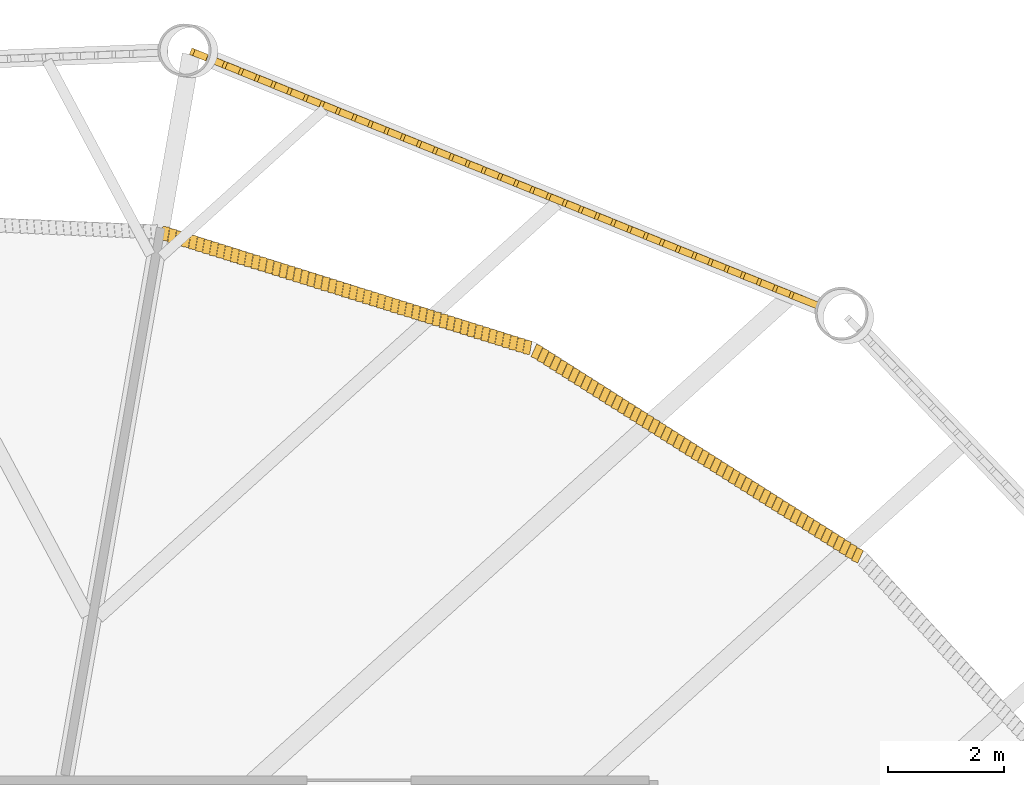
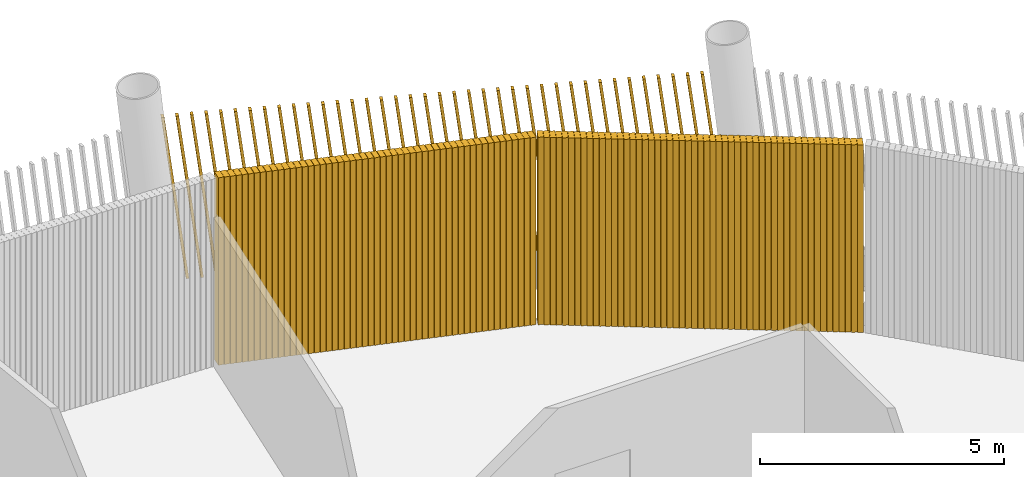
# One storey, part 18 of 21: 3 shading devices.
"""IFC4 building model written with IfcOpenShell, lengths in metres."""

from ifc_helpers import new_model, si_unit, direction, frame, frame_2d, origin, place, context, subcontext, project, spatial, rectangle, composite_profile, extrude, material, type_object, element, save


model = new_model("IFC4")

# Units and contexts
model_context = context("Model", 3, precision=1e-05, world=origin(), true_north=direction((0.0, 1.0)))
body_context = subcontext(model_context, "Body", "Model", "MODEL_VIEW")
ifc_project = project(units=[si_unit("LENGTHUNIT", "METRE"), si_unit("AREAUNIT", "SQUARE_METRE"), si_unit("VOLUMEUNIT", "CUBIC_METRE"), si_unit("PLANEANGLEUNIT", "RADIAN"), si_unit("MASSUNIT", "GRAM", prefix="KILO")], contexts=[model_context])

# Site, building, storey
site_placement = place(None, origin())
site = spatial("IfcSite", under=ifc_project, at=site_placement, CompositionType="ELEMENT")
building_placement = place(site_placement, origin())
building = spatial("IfcBuilding", under=site, at=building_placement, Name="Tarsis Ring Headquarters", CompositionType="ELEMENT")
storey_placement = place(building_placement, frame((0.0, 0.0, 398.60009765625)))
storey = spatial("IfcBuildingStorey", under=building, at=storey_placement, Name="L94", CompositionType="ELEMENT", Elevation=398.60009765625)

# Shading devices
ifc_material_1 = material(Name="Aluminium louvre", Category="aluminium")
shading_device_type_1 = type_object("IfcShadingDeviceType", Name="Plant louvre fin", PredefinedType="USERDEFINED", material=ifc_material_1)
shading_device_1_placement = place(storey_placement, frame((16.58984375, 19.8525390625, 0.0), z_axis=(0.0, 0.0, 1.0), x_axis=(-0.844139333842, 0.536122915986, 0.0)))
element("IfcShadingDevice", 1, at=shading_device_1_placement, inside=storey, type_object=shading_device_type_1, Name="Louvre L94-22", ObjectType="Louvre", PredefinedType="USERDEFINED", context=body_context, shape_type="SweptSolid", body=[
    extrude(composite_profile([rectangle(XDim=0.1201171875, YDim=0.239990234375, at=frame_2d((0.076171875, 0.0), x_axis=(0.990268068742, 0.13917310096))), rectangle(XDim=0.1201171875, YDim=0.239990234375, at=frame_2d((0.202392578125, 0.0), x_axis=(0.990268068742, 0.13917310096))), rectangle(XDim=0.1201171875, YDim=0.239990234375, at=frame_2d((0.328857421875, 0.0), x_axis=(0.990268068742, 0.13917310096))), rectangle(XDim=0.1201171875, YDim=0.239990234375, at=frame_2d((0.455078125, 0.0), x_axis=(0.990268068742, 0.13917310096))), rectangle(XDim=0.1201171875, YDim=0.239990234375, at=frame_2d((0.58154296875, 0.0), x_axis=(0.990268068742, 0.13917310096))), rectangle(XDim=0.1201171875, YDim=0.239990234375, at=frame_2d((0.707763671875, 0.0), x_axis=(0.990268068742, 0.13917310096))), rectangle(XDim=0.1201171875, YDim=0.239990234375, at=frame_2d((0.834228515625, 0.0), x_axis=(0.990268068742, 0.13917310096))), rectangle(XDim=0.1201171875, YDim=0.239990234375, at=frame_2d((0.96044921875, 0.0), x_axis=(0.990268068742, 0.13917310096))), rectangle(XDim=0.1201171875, YDim=0.239990234375, at=frame_2d((1.0869140625, 0.0), x_axis=(0.990268068742, 0.13917310096))), rectangle(XDim=0.1201171875, YDim=0.239990234375, at=frame_2d((1.213134765625, 0.0), x_axis=(0.990268068742, 0.13917310096))), rectangle(XDim=0.1201171875, YDim=0.239990234375, at=frame_2d((1.33935546875, 0.0), x_axis=(0.990268068742, 0.13917310096))), rectangle(XDim=0.1201171875, YDim=0.239990234375, at=frame_2d((1.4658203125, 0.0), x_axis=(0.990268068742, 0.13917310096))), rectangle(XDim=0.1201171875, YDim=0.239990234375, at=frame_2d((1.592041015625, 0.0), x_axis=(0.990268068742, 0.13917310096))), rectangle(XDim=0.1201171875, YDim=0.239990234375, at=frame_2d((1.718505859375, 0.0), x_axis=(0.990268068742, 0.13917310096))), rectangle(XDim=0.1201171875, YDim=0.239990234375, at=frame_2d((1.8447265625, 0.0), x_axis=(0.990268068742, 0.13917310096))), rectangle(XDim=0.1201171875, YDim=0.239990234375, at=frame_2d((1.97119140625, 0.0), x_axis=(0.990268068742, 0.13917310096))), rectangle(XDim=0.1201171875, YDim=0.239990234375, at=frame_2d((2.097412109375, 0.0), x_axis=(0.990268068742, 0.13917310096))), rectangle(XDim=0.1201171875, YDim=0.239990234375, at=frame_2d((2.223876953125, 0.0), x_axis=(0.990268068742, 0.13917310096))), rectangle(XDim=0.1201171875, YDim=0.239990234375, at=frame_2d((2.35009765625, 0.0), x_axis=(0.990268068742, 0.13917310096))), rectangle(XDim=0.1201171875, YDim=0.239990234375, at=frame_2d((2.476318359375, 0.0), x_axis=(0.990268068742, 0.13917310096))), rectangle(XDim=0.1201171875, YDim=0.239990234375, at=frame_2d((2.602783203125, 0.0), x_axis=(0.990268068742, 0.13917310096))), rectangle(XDim=0.1201171875, YDim=0.239990234375, at=frame_2d((2.72900390625, 0.0), x_axis=(0.990268068742, 0.13917310096))), rectangle(XDim=0.1201171875, YDim=0.239990234375, at=frame_2d((2.85546875, 0.0), x_axis=(0.990268068742, 0.13917310096))), rectangle(XDim=0.1201171875, YDim=0.239990234375, at=frame_2d((2.981689453125, 0.0), x_axis=(0.990268068742, 0.13917310096))), rectangle(XDim=0.1201171875, YDim=0.239990234375, at=frame_2d((3.108154296875, 0.0), x_axis=(0.990268068742, 0.13917310096))), rectangle(XDim=0.1201171875, YDim=0.239990234375, at=frame_2d((3.234375, 0.0), x_axis=(0.990268068742, 0.13917310096))), rectangle(XDim=0.1201171875, YDim=0.239990234375, at=frame_2d((3.36083984375, 0.0), x_axis=(0.990268068742, 0.13917310096))), rectangle(XDim=0.1201171875, YDim=0.239990234375, at=frame_2d((3.487060546875, 0.0), x_axis=(0.990268068742, 0.13917310096))), rectangle(XDim=0.1201171875, YDim=0.239990234375, at=frame_2d((3.61328125, 0.0), x_axis=(0.990268068742, 0.13917310096))), rectangle(XDim=0.1201171875, YDim=0.239990234375, at=frame_2d((3.73974609375, 0.0), x_axis=(0.990268068742, 0.13917310096))), rectangle(XDim=0.1201171875, YDim=0.239990234375, at=frame_2d((3.865966796875, 0.0), x_axis=(0.990268068742, 0.13917310096))), rectangle(XDim=0.1201171875, YDim=0.239990234375, at=frame_2d((3.992431640625, 0.0), x_axis=(0.990268068742, 0.13917310096))), rectangle(XDim=0.1201171875, YDim=0.239990234375, at=frame_2d((4.11865234375, 0.0), x_axis=(0.990268068742, 0.13917310096))), rectangle(XDim=0.1201171875, YDim=0.239990234375, at=frame_2d((4.2451171875, 0.0), x_axis=(0.990268068742, 0.13917310096))), rectangle(XDim=0.1201171875, YDim=0.239990234375, at=frame_2d((4.371337890625, 0.0), x_axis=(0.990268068742, 0.13917310096))), rectangle(XDim=0.1201171875, YDim=0.239990234375, at=frame_2d((4.49755859375, 0.0), x_axis=(0.990268068742, 0.13917310096))), rectangle(XDim=0.1201171875, YDim=0.239990234375, at=frame_2d((4.6240234375, 0.0), x_axis=(0.990268068742, 0.13917310096))), rectangle(XDim=0.1201171875, YDim=0.239990234375, at=frame_2d((4.750244140625, 0.0), x_axis=(0.990268068742, 0.13917310096))), rectangle(XDim=0.1201171875, YDim=0.239990234375, at=frame_2d((4.876708984375, 0.0), x_axis=(0.990268068742, 0.13917310096))), rectangle(XDim=0.1201171875, YDim=0.239990234375, at=frame_2d((5.0029296875, 0.0), x_axis=(0.990268068742, 0.13917310096))), rectangle(XDim=0.1201171875, YDim=0.239990234375, at=frame_2d((5.12939453125, 0.0), x_axis=(0.990268068742, 0.13917310096))), rectangle(XDim=0.1201171875, YDim=0.239990234375, at=frame_2d((5.255615234375, 0.0), x_axis=(0.990268068742, 0.13917310096))), rectangle(XDim=0.1201171875, YDim=0.239990234375, at=frame_2d((5.382080078125, 0.0), x_axis=(0.990268068742, 0.13917310096))), rectangle(XDim=0.1201171875, YDim=0.239990234375, at=frame_2d((5.50830078125, 0.0), x_axis=(0.990268068742, 0.13917310096))), rectangle(XDim=0.1201171875, YDim=0.239990234375, at=frame_2d((5.634521484375, 0.0), x_axis=(0.990268068742, 0.13917310096))), rectangle(XDim=0.1201171875, YDim=0.239990234375, at=frame_2d((5.760986328125, 0.0), x_axis=(0.990268068742, 0.13917310096))), rectangle(XDim=0.1201171875, YDim=0.239990234375, at=frame_2d((5.88720703125, 0.0), x_axis=(0.990268068742, 0.13917310096))), rectangle(XDim=0.1201171875, YDim=0.239990234375, at=frame_2d((6.013671875, 0.0), x_axis=(0.990268068742, 0.13917310096))), rectangle(XDim=0.1201171875, YDim=0.239990234375, at=frame_2d((6.139892578125, 0.0), x_axis=(0.990268068742, 0.13917310096))), rectangle(XDim=0.1201171875, YDim=0.239990234375, at=frame_2d((6.266357421875, 0.0), x_axis=(0.990268068742, 0.13917310096))), rectangle(XDim=0.1201171875, YDim=0.239990234375, at=frame_2d((6.392578125, 0.0), x_axis=(0.990268068742, 0.13917310096))), rectangle(XDim=0.1201171875, YDim=0.239990234375, at=frame_2d((6.51904296875, 0.0), x_axis=(0.990268068742, 0.13917310096))), rectangle(XDim=0.1201171875, YDim=0.239990234375, at=frame_2d((6.645263671875, 0.0), x_axis=(0.990268068742, 0.13917310096)))]), origin(), (0.0, 0.0, 1.0), 4.699951171875),
])
shading_device_2_placement = place(storey_placement, frame((10.88623046875, 23.469970703125, 0.0), z_axis=(0.0, 0.0, 1.0), x_axis=(-0.954124441539, 0.299371617449, 0.0)))
element("IfcShadingDevice", 2, at=shading_device_2_placement, inside=storey, type_object=shading_device_type_1, Name="Louvre L94-23", ObjectType="Louvre", PredefinedType="USERDEFINED", context=body_context, shape_type="SweptSolid", body=[
    extrude(composite_profile([rectangle(XDim=0.1201171875, YDim=0.239990234375, at=frame_2d((0.076171875, 0.0), x_axis=(0.990268068742, 0.13917310096))), rectangle(XDim=0.1201171875, YDim=0.239990234375, at=frame_2d((0.202392578125, 0.0), x_axis=(0.990268068742, 0.13917310096))), rectangle(XDim=0.1201171875, YDim=0.239990234375, at=frame_2d((0.328857421875, 0.0), x_axis=(0.990268068742, 0.13917310096))), rectangle(XDim=0.1201171875, YDim=0.239990234375, at=frame_2d((0.455078125, 0.0), x_axis=(0.990268068742, 0.13917310096))), rectangle(XDim=0.1201171875, YDim=0.239990234375, at=frame_2d((0.58154296875, 0.0), x_axis=(0.990268068742, 0.13917310096))), rectangle(XDim=0.1201171875, YDim=0.239990234375, at=frame_2d((0.707763671875, 0.0), x_axis=(0.990268068742, 0.13917310096))), rectangle(XDim=0.1201171875, YDim=0.239990234375, at=frame_2d((0.834228515625, 0.0), x_axis=(0.990268068742, 0.13917310096))), rectangle(XDim=0.1201171875, YDim=0.239990234375, at=frame_2d((0.96044921875, 0.0), x_axis=(0.990268068742, 0.13917310096))), rectangle(XDim=0.1201171875, YDim=0.239990234375, at=frame_2d((1.0869140625, 0.0), x_axis=(0.990268068742, 0.13917310096))), rectangle(XDim=0.1201171875, YDim=0.239990234375, at=frame_2d((1.213134765625, 0.0), x_axis=(0.990268068742, 0.13917310096))), rectangle(XDim=0.1201171875, YDim=0.239990234375, at=frame_2d((1.33935546875, 0.0), x_axis=(0.990268068742, 0.13917310096))), rectangle(XDim=0.1201171875, YDim=0.239990234375, at=frame_2d((1.4658203125, 0.0), x_axis=(0.990268068742, 0.13917310096))), rectangle(XDim=0.1201171875, YDim=0.239990234375, at=frame_2d((1.592041015625, 0.0), x_axis=(0.990268068742, 0.13917310096))), rectangle(XDim=0.1201171875, YDim=0.239990234375, at=frame_2d((1.718505859375, 0.0), x_axis=(0.990268068742, 0.13917310096))), rectangle(XDim=0.1201171875, YDim=0.239990234375, at=frame_2d((1.8447265625, 0.0), x_axis=(0.990268068742, 0.13917310096))), rectangle(XDim=0.1201171875, YDim=0.239990234375, at=frame_2d((1.97119140625, 0.0), x_axis=(0.990268068742, 0.13917310096))), rectangle(XDim=0.1201171875, YDim=0.239990234375, at=frame_2d((2.097412109375, 0.0), x_axis=(0.990268068742, 0.13917310096))), rectangle(XDim=0.1201171875, YDim=0.239990234375, at=frame_2d((2.223876953125, 0.0), x_axis=(0.990268068742, 0.13917310096))), rectangle(XDim=0.1201171875, YDim=0.239990234375, at=frame_2d((2.35009765625, 0.0), x_axis=(0.990268068742, 0.13917310096))), rectangle(XDim=0.1201171875, YDim=0.239990234375, at=frame_2d((2.476318359375, 0.0), x_axis=(0.990268068742, 0.13917310096))), rectangle(XDim=0.1201171875, YDim=0.239990234375, at=frame_2d((2.602783203125, 0.0), x_axis=(0.990268068742, 0.13917310096))), rectangle(XDim=0.1201171875, YDim=0.239990234375, at=frame_2d((2.72900390625, 0.0), x_axis=(0.990268068742, 0.13917310096))), rectangle(XDim=0.1201171875, YDim=0.239990234375, at=frame_2d((2.85546875, 0.0), x_axis=(0.990268068742, 0.13917310096))), rectangle(XDim=0.1201171875, YDim=0.239990234375, at=frame_2d((2.981689453125, 0.0), x_axis=(0.990268068742, 0.13917310096))), rectangle(XDim=0.1201171875, YDim=0.239990234375, at=frame_2d((3.108154296875, 0.0), x_axis=(0.990268068742, 0.13917310096))), rectangle(XDim=0.1201171875, YDim=0.239990234375, at=frame_2d((3.234375, 0.0), x_axis=(0.990268068742, 0.13917310096))), rectangle(XDim=0.1201171875, YDim=0.239990234375, at=frame_2d((3.36083984375, 0.0), x_axis=(0.990268068742, 0.13917310096))), rectangle(XDim=0.1201171875, YDim=0.239990234375, at=frame_2d((3.487060546875, 0.0), x_axis=(0.990268068742, 0.13917310096))), rectangle(XDim=0.1201171875, YDim=0.239990234375, at=frame_2d((3.61328125, 0.0), x_axis=(0.990268068742, 0.13917310096))), rectangle(XDim=0.1201171875, YDim=0.239990234375, at=frame_2d((3.73974609375, 0.0), x_axis=(0.990268068742, 0.13917310096))), rectangle(XDim=0.1201171875, YDim=0.239990234375, at=frame_2d((3.865966796875, 0.0), x_axis=(0.990268068742, 0.13917310096))), rectangle(XDim=0.1201171875, YDim=0.239990234375, at=frame_2d((3.992431640625, 0.0), x_axis=(0.990268068742, 0.13917310096))), rectangle(XDim=0.1201171875, YDim=0.239990234375, at=frame_2d((4.11865234375, 0.0), x_axis=(0.990268068742, 0.13917310096))), rectangle(XDim=0.1201171875, YDim=0.239990234375, at=frame_2d((4.2451171875, 0.0), x_axis=(0.990268068742, 0.13917310096))), rectangle(XDim=0.1201171875, YDim=0.239990234375, at=frame_2d((4.371337890625, 0.0), x_axis=(0.990268068742, 0.13917310096))), rectangle(XDim=0.1201171875, YDim=0.239990234375, at=frame_2d((4.49755859375, 0.0), x_axis=(0.990268068742, 0.13917310096))), rectangle(XDim=0.1201171875, YDim=0.239990234375, at=frame_2d((4.6240234375, 0.0), x_axis=(0.990268068742, 0.13917310096))), rectangle(XDim=0.1201171875, YDim=0.239990234375, at=frame_2d((4.750244140625, 0.0), x_axis=(0.990268068742, 0.13917310096))), rectangle(XDim=0.1201171875, YDim=0.239990234375, at=frame_2d((4.876708984375, 0.0), x_axis=(0.990268068742, 0.13917310096))), rectangle(XDim=0.1201171875, YDim=0.239990234375, at=frame_2d((5.0029296875, 0.0), x_axis=(0.990268068742, 0.13917310096))), rectangle(XDim=0.1201171875, YDim=0.239990234375, at=frame_2d((5.12939453125, 0.0), x_axis=(0.990268068742, 0.13917310096))), rectangle(XDim=0.1201171875, YDim=0.239990234375, at=frame_2d((5.255615234375, 0.0), x_axis=(0.990268068742, 0.13917310096))), rectangle(XDim=0.1201171875, YDim=0.239990234375, at=frame_2d((5.382080078125, 0.0), x_axis=(0.990268068742, 0.13917310096))), rectangle(XDim=0.1201171875, YDim=0.239990234375, at=frame_2d((5.50830078125, 0.0), x_axis=(0.990268068742, 0.13917310096))), rectangle(XDim=0.1201171875, YDim=0.239990234375, at=frame_2d((5.634521484375, 0.0), x_axis=(0.990268068742, 0.13917310096))), rectangle(XDim=0.1201171875, YDim=0.239990234375, at=frame_2d((5.760986328125, 0.0), x_axis=(0.990268068742, 0.13917310096))), rectangle(XDim=0.1201171875, YDim=0.239990234375, at=frame_2d((5.88720703125, 0.0), x_axis=(0.990268068742, 0.13917310096))), rectangle(XDim=0.1201171875, YDim=0.239990234375, at=frame_2d((6.013671875, 0.0), x_axis=(0.990268068742, 0.13917310096))), rectangle(XDim=0.1201171875, YDim=0.239990234375, at=frame_2d((6.139892578125, 0.0), x_axis=(0.990268068742, 0.13917310096))), rectangle(XDim=0.1201171875, YDim=0.239990234375, at=frame_2d((6.266357421875, 0.0), x_axis=(0.990268068742, 0.13917310096))), rectangle(XDim=0.1201171875, YDim=0.239990234375, at=frame_2d((6.392578125, 0.0), x_axis=(0.990268068742, 0.13917310096))), rectangle(XDim=0.1201171875, YDim=0.239990234375, at=frame_2d((6.51904296875, 0.0), x_axis=(0.990268068742, 0.13917310096))), rectangle(XDim=0.1201171875, YDim=0.239990234375, at=frame_2d((6.645263671875, 0.0), x_axis=(0.990268068742, 0.13917310096)))]), origin(), (0.0, 0.0, 1.0), 4.699951171875),
])
ifc_material_2 = material(Name="Terracotta baguette", Category="masonry")
shading_device_type_2 = type_object("IfcShadingDeviceType", Name="Terracotta baguette screen", PredefinedType="USERDEFINED", material=ifc_material_2)
shading_device_3_placement = place(storey_placement, frame((15.890625, 24.19580078125, 0.0), z_axis=(0.0, 0.0, 1.0), x_axis=(-0.926577827936, 0.376074312006, 0.0)))
element("IfcShadingDevice", 3, at=shading_device_3_placement, inside=storey, type_object=shading_device_type_2, Name="Baguette screen L94-08", ObjectType="Terracotta baguette screen", PredefinedType="USERDEFINED", context=body_context, shape_type="SweptSolid", body=[
    extrude(composite_profile([rectangle(XDim=0.06005859375, YDim=0.1201171875, at=frame_2d((0.030029296875, 0.0))), rectangle(XDim=0.06005859375, YDim=0.1201171875, at=frame_2d((0.33251953125, 0.0))), rectangle(XDim=0.06005859375, YDim=0.1201171875, at=frame_2d((0.634765625, 0.0))), rectangle(XDim=0.06005859375, YDim=0.1201171875, at=frame_2d((0.937255859375, 0.0))), rectangle(XDim=0.06005859375, YDim=0.1201171875, at=frame_2d((1.239501953125, 0.0))), rectangle(XDim=0.06005859375, YDim=0.1201171875, at=frame_2d((1.5419921875, 0.0))), rectangle(XDim=0.06005859375, YDim=0.1201171875, at=frame_2d((1.844482421875, 0.0))), rectangle(XDim=0.06005859375, YDim=0.1201171875, at=frame_2d((2.146728515625, 0.0))), rectangle(XDim=0.06005859375, YDim=0.1201171875, at=frame_2d((2.44921875, 0.0))), rectangle(XDim=0.06005859375, YDim=0.1201171875, at=frame_2d((2.751708984375, 0.0))), rectangle(XDim=0.06005859375, YDim=0.1201171875, at=frame_2d((3.053955078125, 0.0))), rectangle(XDim=0.06005859375, YDim=0.1201171875, at=frame_2d((3.3564453125, 0.0))), rectangle(XDim=0.06005859375, YDim=0.1201171875, at=frame_2d((3.65869140625, 0.0))), rectangle(XDim=0.06005859375, YDim=0.1201171875, at=frame_2d((3.961181640625, 0.0))), rectangle(XDim=0.06005859375, YDim=0.1201171875, at=frame_2d((4.263671875, 0.0))), rectangle(XDim=0.06005859375, YDim=0.1201171875, at=frame_2d((4.56591796875, 0.0))), rectangle(XDim=0.06005859375, YDim=0.1201171875, at=frame_2d((4.868408203125, 0.0))), rectangle(XDim=0.06005859375, YDim=0.1201171875, at=frame_2d((5.1708984375, 0.0))), rectangle(XDim=0.06005859375, YDim=0.1201171875, at=frame_2d((5.47314453125, 0.0))), rectangle(XDim=0.06005859375, YDim=0.1201171875, at=frame_2d((5.775634765625, 0.0))), rectangle(XDim=0.06005859375, YDim=0.1201171875, at=frame_2d((6.077880859375, 0.0))), rectangle(XDim=0.06005859375, YDim=0.1201171875, at=frame_2d((6.38037109375, 0.0))), rectangle(XDim=0.06005859375, YDim=0.1201171875, at=frame_2d((6.682861328125, 0.0))), rectangle(XDim=0.06005859375, YDim=0.1201171875, at=frame_2d((6.985107421875, 0.0))), rectangle(XDim=0.06005859375, YDim=0.1201171875, at=frame_2d((7.28759765625, 0.0))), rectangle(XDim=0.06005859375, YDim=0.1201171875, at=frame_2d((7.590087890625, 0.0))), rectangle(XDim=0.06005859375, YDim=0.1201171875, at=frame_2d((7.892333984375, 0.0))), rectangle(XDim=0.06005859375, YDim=0.1201171875, at=frame_2d((8.19482421875, 0.0))), rectangle(XDim=0.06005859375, YDim=0.1201171875, at=frame_2d((8.4970703125, 0.0))), rectangle(XDim=0.06005859375, YDim=0.1201171875, at=frame_2d((8.799560546875, 0.0))), rectangle(XDim=0.06005859375, YDim=0.1201171875, at=frame_2d((9.10205078125, 0.0))), rectangle(XDim=0.06005859375, YDim=0.1201171875, at=frame_2d((9.404296875, 0.0))), rectangle(XDim=0.06005859375, YDim=0.1201171875, at=frame_2d((9.706787109375, 0.0))), rectangle(XDim=0.06005859375, YDim=0.1201171875, at=frame_2d((10.00927734375, 0.0))), rectangle(XDim=0.06005859375, YDim=0.1201171875, at=frame_2d((10.3115234375, 0.0))), rectangle(XDim=0.06005859375, YDim=0.1201171875, at=frame_2d((10.614013671875, 0.0))), rectangle(XDim=0.06005859375, YDim=0.1201171875, at=frame_2d((10.916259765625, 0.0))), rectangle(XDim=0.06005859375, YDim=0.1201171875, at=frame_2d((11.21875, 0.0)))]), origin(), (0.124850857596, 0.001132615121, 0.992174873972), 4.1279296875),
])

save(model, "model.ifc")
